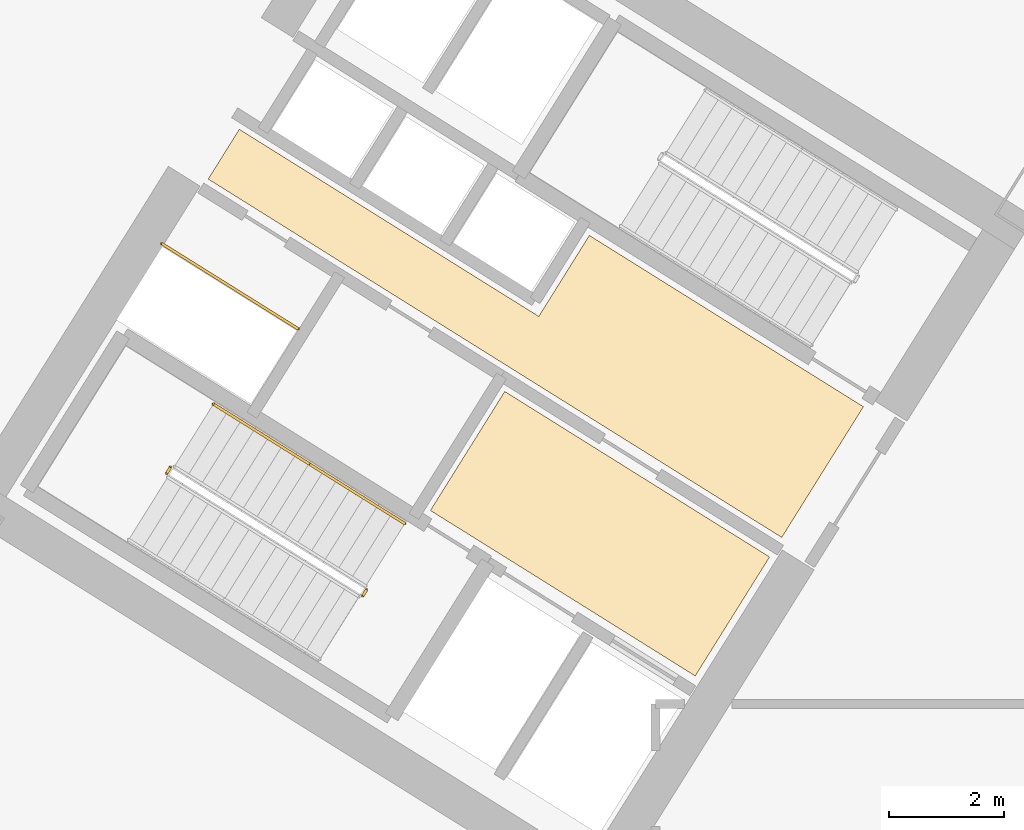
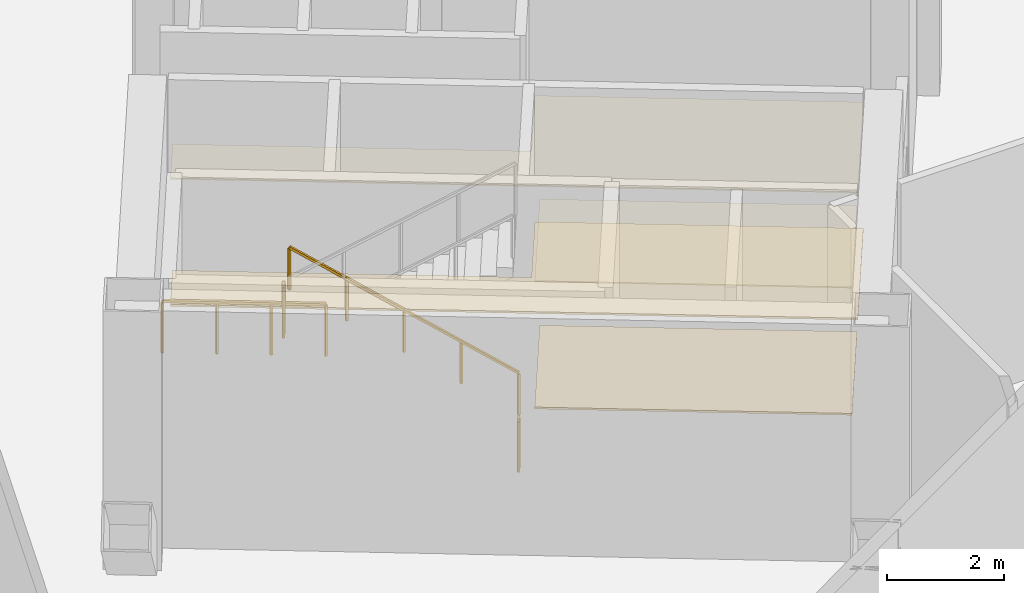
# One storey, part 20 of 23: 5 railings, 4 coverings.
"""IFC4 building model written with IfcOpenShell, lengths in metres."""

from ifc_helpers import new_model, si_unit, direction, frame, origin, origin_2d, place, context, subcontext, project, spatial, polyline, rectangle, outline, extrude, source, transform, mapped, material, layer, layer_set, type_object, element, save


model = new_model("IFC4")

# Units and contexts
model_context = context("Model", 3, precision=1e-05, world=origin(), true_north=direction((0.0, 1.0)))
body_context = subcontext(model_context, "Body", "Model", "MODEL_VIEW")
ifc_project = project(units=[si_unit("LENGTHUNIT", "METRE"), si_unit("AREAUNIT", "SQUARE_METRE"), si_unit("VOLUMEUNIT", "CUBIC_METRE"), si_unit("PLANEANGLEUNIT", "RADIAN"), si_unit("MASSUNIT", "GRAM", prefix="KILO")], contexts=[model_context])

# Site, building, storey
site_placement = place(None, origin())
site = spatial("IfcSite", under=ifc_project, at=site_placement, CompositionType="ELEMENT")
building_placement = place(site_placement, origin())
building = spatial("IfcBuilding", under=site, at=building_placement, Name="Tlacorven Tower", CompositionType="ELEMENT")
storey_placement = place(building_placement, frame((0.0, 0.0, 18.60009765625)))
storey = spatial("IfcBuildingStorey", under=building, at=storey_placement, Name="L04", CompositionType="ELEMENT", Elevation=18.60009765625)

# Coverings
ifc_material_1 = material(Name="Acoustic mineral-fibre ceiling")
ifc_layer_1 = layer(ifc_material_1, 0.02490234375)
ifc_layer_set_1 = layer_set([ifc_layer_1], Name="Acoustic mineral-fibre ceiling")
covering_type_1 = type_object("IfcCoveringType", Name="CV-CLG-ACST", PredefinedType="CEILING", material=ifc_layer_set_1)
covering_1_placement = place(storey_placement, frame((0.0, 0.0, 2.64990234375)))
element("IfcCovering", 1, at=covering_1_placement, inside=storey, type_object=covering_type_1, Name="L04 Acoustic Suspended Ceiling 1", PredefinedType="CEILING", context=body_context, shape_type="SweptSolid", body=[
    extrude(outline(polyline([(36.185302734375, 18.35595703125), (34.892333984375, 16.286865234375), (30.287353515625, 19.164306640625), (31.580322265625, 21.2333984375), (36.185302734375, 18.35595703125)])), origin(), (0.0, 0.0, 1.0), 0.02490234375),
])
covering_2_placement = place(storey_placement, frame((0.0, 0.0, 2.64990234375)))
element("IfcCovering", 2, at=covering_2_placement, inside=storey, type_object=covering_type_1, Name="L04 Acoustic Suspended Ceiling 2", PredefinedType="CEILING", context=body_context, shape_type="SweptSolid", body=[
    extrude(outline(polyline([(37.8173828125, 20.968017578125), (36.397216796875, 18.6953125), (26.424072265625, 24.927001953125), (26.964599609375, 25.7919921875), (32.171630859375, 22.538330078125), (33.05126953125, 23.946044921875), (37.8173828125, 20.968017578125)])), origin(), (0.0, 0.0, 1.0), 0.02490234375),
])
ifc_material_2 = material(Name="Terrazzo and ceramic flooring")
ifc_layer_2 = layer(ifc_material_2, 0.0400390625)
ifc_layer_set_2 = layer_set([ifc_layer_2], Name="Terrazzo and ceramic flooring")
covering_type_2 = type_object("IfcCoveringType", Name="CV-FLR-TERZ", PredefinedType="FLOORING", material=ifc_layer_set_2)
covering_3_placement = place(storey_placement, origin())
element("IfcCovering", 3, at=covering_3_placement, inside=storey, type_object=covering_type_2, Name="L04 Terrazzo Floor Finish 1", PredefinedType="FLOORING", context=body_context, shape_type="SweptSolid", body=[
    extrude(outline(polyline([(36.185302734375, 18.35595703125), (34.892333984375, 16.286865234375), (30.287353515625, 19.164306640625), (31.580322265625, 21.2333984375), (36.185302734375, 18.35595703125)])), origin(), (0.0, 0.0, 1.0), 0.039794921875),
])
covering_4_placement = place(storey_placement, origin())
element("IfcCovering", 4, at=covering_4_placement, inside=storey, type_object=covering_type_2, Name="L04 Terrazzo Floor Finish 2", PredefinedType="FLOORING", context=body_context, shape_type="SweptSolid", body=[
    extrude(outline(polyline([(37.8173828125, 20.968017578125), (36.397216796875, 18.6953125), (26.424072265625, 24.927001953125), (26.964599609375, 25.7919921875), (32.171630859375, 22.538330078125), (33.05126953125, 23.946044921875), (37.8173828125, 20.968017578125)])), origin(), (0.0, 0.0, 1.0), 0.039794921875),
])

# Railings
ifc_material_3 = material(Name="Aluminium and painted steel balustrade", Category="steel")
railing_type_1 = type_object("IfcRailingType", Name="RL-GRD-1100", PredefinedType="GUARDRAIL", material=ifc_material_3)
shared_shape_1 = source(origin(), body_context, "Body", "SweptSolid", [
    extrude(rectangle(XDim=0.048095703125, YDim=0.048095703125, at=origin_2d()), frame((0.0, 0.0, 1.076171875), z_axis=(-0.848091358275, 0.529850024081, 0.0), x_axis=(-0.529850024081, -0.848091358275, 0.0)), (0.0, 0.0, 1.0), 2.800048828125),
    extrude(rectangle(XDim=0.0419921875, YDim=0.0419921875, at=origin_2d()), origin(), (0.0, 0.0, 1.0), 1.052001953125),
    extrude(rectangle(XDim=0.0419921875, YDim=0.0419921875, at=origin_2d()), frame((-0.79150390625, 0.49462890625, 0.0)), (0.0, 0.0, 1.0), 1.052001953125),
    extrude(rectangle(XDim=0.0419921875, YDim=0.0419921875, at=origin_2d()), frame((-1.583251953125, 0.989013671875, 0.0)), (0.0, 0.0, 1.0), 1.052001953125),
    extrude(rectangle(XDim=0.0419921875, YDim=0.0419921875, at=origin_2d()), frame((-2.374755859375, 1.483642578125, 0.0)), (0.0, 0.0, 1.0), 1.052001953125),
])
railing_1_placement = place(storey_placement, frame((27.9912109375, 22.32080078125, 0.0)))
element("IfcRailing", 5, at=railing_1_placement, inside=storey, type_object=railing_type_1, Name="L04 Electrical Riser W Shaft Guard 1", PredefinedType="GUARDRAIL", context=body_context, shape_type="MappedRepresentation", body=[
    mapped(shared_shape_1, transform((0.0, 0.0, 0.0), scale=1.0)),
])
shared_shape_2 = source(origin(), body_context, "Body", "SweptSolid", [
    extrude(rectangle(XDim=0.048095703125, YDim=0.048095703125, at=origin_2d()), frame((0.0, 0.0, 1.076171875), z_axis=(-0.529084052582, -0.848569422795, 0.0), x_axis=(0.848569422795, -0.529084052582, 0.0)), (0.0, 0.0, 1.0), 0.119873046875),
    extrude(rectangle(XDim=0.0419921875, YDim=0.0419921875, at=origin_2d()), origin(), (0.0, 0.0, 1.0), 1.052001953125),
    extrude(rectangle(XDim=0.0419921875, YDim=0.0419921875, at=origin_2d()), frame((-0.0634765625, -0.101806640625, 0.0)), (0.0, 0.0, 1.0), 1.052001953125),
])
for number, where, name in (
    (6, (25.767333984375, 19.913330078125, 2.699951171875), "L04 ST-W1 stair guard 2"),
    (7, (29.176513671875, 17.782958984375, 0.0), "L04 ST-W1 stair guard 4"),
):
    element("IfcRailing", number, at=place(storey_placement, frame(where)), inside=storey, type_object=railing_type_1, Name=name, PredefinedType="GUARDRAIL", context=body_context, shape_type="MappedRepresentation", body=[
        mapped(shared_shape_2, transform((0.0, 0.0, 0.0), scale=1.0)),
    ])
railing_type_2 = type_object("IfcRailingType", Name="RL-HND-0900", PredefinedType="HANDRAIL", material=ifc_material_3)
shared_shape_3 = source(origin(), body_context, "Body", "SweptSolid", [
    extrude(rectangle(XDim=0.048095703125, YDim=0.048095703125, at=origin_2d()), frame((0.0, 0.0, 0.8759765625), z_axis=(-0.713371865327, 0.445791935228, 0.540712615208), x_axis=(-0.529942963146, -0.848033286971, 0.0)), (0.0, 0.0, 1.0), 2.330322265625),
    extrude(rectangle(XDim=0.0419921875, YDim=0.0419921875, at=origin_2d()), origin(), (0.0, 0.0, 1.0), 0.851806640625),
    extrude(rectangle(XDim=0.0419921875, YDim=0.0419921875, at=origin_2d()), frame((-0.8310546875, 0.51953125, 0.6298828125)), (0.0, 0.0, 1.0), 0.851806640625),
    extrude(rectangle(XDim=0.0419921875, YDim=0.0419921875, at=origin_2d()), frame((-1.662353515625, 1.038818359375, 1.260009765625)), (0.0, 0.0, 1.0), 0.851806640625),
])
railing_2_placement = place(storey_placement, frame((29.839111328125, 18.937255859375, 0.179931640625)))
element("IfcRailing", 8, at=railing_2_placement, inside=storey, type_object=railing_type_2, Name="L04 ST-W1 stair handrail 1", PredefinedType="HANDRAIL", context=body_context, shape_type="MappedRepresentation", body=[
    mapped(shared_shape_3, transform((0.0, 0.0, 0.0), scale=1.0)),
])
shared_shape_4 = source(origin(), body_context, "Body", "SweptSolid", [
    extrude(rectangle(XDim=0.048095703125, YDim=0.048095703125, at=origin_2d()), frame((0.0, 0.0, 0.8759765625), z_axis=(-0.713353726602, 0.445741297439, 0.540778287749), x_axis=(-0.52990936055, -0.848054284584, 0.0)), (0.0, 0.0, 1.0), 2.330078125),
    extrude(rectangle(XDim=0.0419921875, YDim=0.0419921875, at=origin_2d()), origin(), (0.0, 0.0, 1.0), 0.851806640625),
    extrude(rectangle(XDim=0.0419921875, YDim=0.0419921875, at=origin_2d()), frame((-0.8310546875, 0.519287109375, 0.6298828125)), (0.0, 0.0, 1.0), 0.851806640625),
    extrude(rectangle(XDim=0.0419921875, YDim=0.0419921875, at=origin_2d()), frame((-1.662109375, 1.03857421875, 1.260009765625)), (0.0, 0.0, 1.0), 0.851806640625),
])
railing_3_placement = place(storey_placement, frame((28.1767578125, 19.97607421875, 1.43994140625)))
element("IfcRailing", 9, at=railing_3_placement, inside=storey, type_object=railing_type_2, Name="L04 ST-W1 stair handrail 2", PredefinedType="HANDRAIL", context=body_context, shape_type="MappedRepresentation", body=[
    mapped(shared_shape_4, transform((0.0, 0.0, 0.0), scale=1.0)),
])

save(model, "model.ifc")
